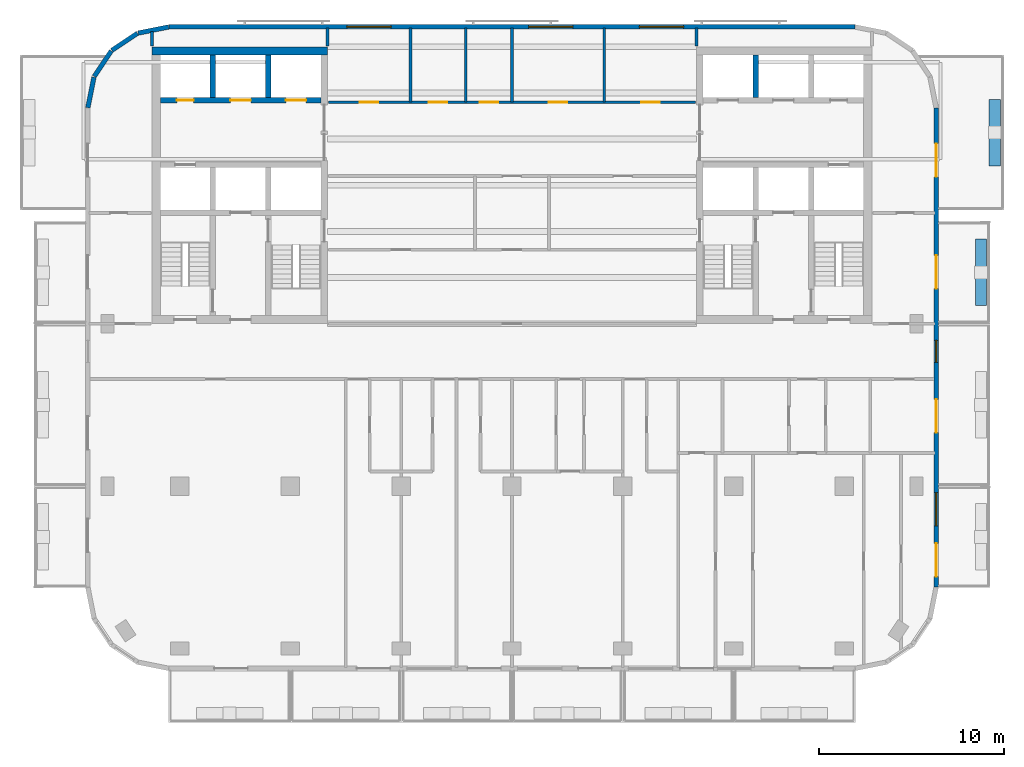
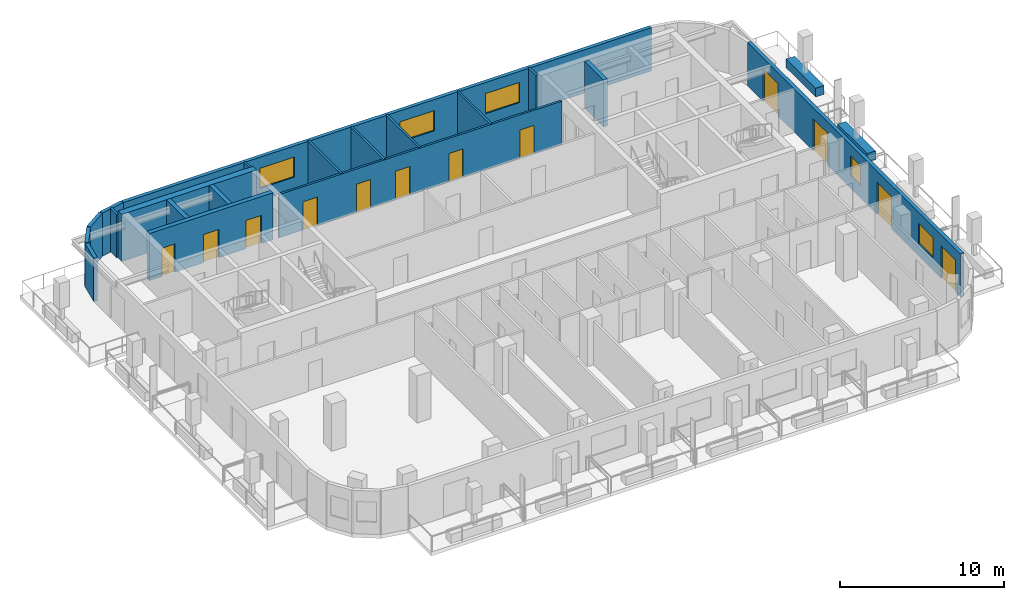
# One storey, part 6 of 11: 21 walls, 12 doors, 5 windows, 17 openings.
"""IFC4 building model written with IfcOpenShell, lengths in metres."""

from ifc_helpers import new_model, si_unit, direction, frame, frame_2d, origin, place, context, subcontext, project, spatial, rectangle, extrude, material, layer, layer_set, type_object, element, fill, save


model = new_model("IFC4")

# Units and contexts
model_context = context("Model", 3, precision=1e-05, world=origin(), true_north=direction((0.0, 1.0)))
body_context = subcontext(model_context, "Body", "Model", "MODEL_VIEW")
ifc_project = project(units=[si_unit("LENGTHUNIT", "METRE"), si_unit("AREAUNIT", "SQUARE_METRE"), si_unit("VOLUMEUNIT", "CUBIC_METRE"), si_unit("PLANEANGLEUNIT", "RADIAN"), si_unit("MASSUNIT", "GRAM", prefix="KILO")], contexts=[model_context])

# Site, building, storey
site_placement = place(None, origin())
site = spatial("IfcSite", under=ifc_project, at=site_placement, CompositionType="ELEMENT")
building_placement = place(site_placement, origin())
building = spatial("IfcBuilding", under=site, at=building_placement, Name="Torana Hotel and Residences", CompositionType="ELEMENT")
storey_placement = place(building_placement, frame((0.0, 0.0, 266.60009765625)))
storey = spatial("IfcBuildingStorey", under=building, at=storey_placement, Name="L70", CompositionType="ELEMENT", Elevation=266.60009765625)

# Wall, openings, doors
ifc_material_1 = material(Name="Concrete C60/75", Category="concrete")
ifc_layer_1 = layer(ifc_material_1, 0.300048828125)
ifc_layer_set_1 = layer_set([ifc_layer_1], Name="CORE WALL 300 C60/75")
wall_type_1 = type_object("IfcWallType", Name="CORE WALL 300 C60/75", PredefinedType="SHEAR", material=ifc_layer_set_1)
wall_1_placement = place(storey_placement, frame((-19.050048828125, -2.89990234375, 0.0), z_axis=(0.0, 0.0, 1.0), x_axis=(1.0, 0.0, 0.0)))
wall_1 = element("IfcWall", 1, at=wall_1_placement, inside=storey, type_object=wall_type_1, Name="Core wall W row-N", PredefinedType="SHEAR", context=body_context, shape_type="SweptSolid", body=[
    extrude(rectangle(XDim=8.699951171875, YDim=0.300048828125, at=frame_2d((4.35009765625, 0.0))), origin(), (0.0, 0.0, 1.0), 3.5),
])
opening_1_placement = place(wall_1_placement, frame((6.800048828125, 0.0, 0.0)))
opening_1 = element("IfcOpeningElement", 2, at=opening_1_placement, cuts=wall_1, Name="Opening LD", PredefinedType="OPENING", context=body_context, shape_type="SweptSolid", body=[
    extrude(rectangle(XDim=1.10009765625, YDim=2.10009765625, at=frame_2d((0.550048828125, 1.050048828125))), frame((0.0, 0.159912109375, 0.0), z_axis=(0.0, -1.0, 0.0), x_axis=(1.0, 0.0, 0.0)), (0.0, 0.0, 1.0), 0.320068359375),
])
opening_2_placement = place(wall_1_placement, frame((3.800048828125, 0.0, 0.0)))
opening_2 = element("IfcOpeningElement", 3, at=opening_2_placement, cuts=wall_1, Name="Opening LD", PredefinedType="OPENING", context=body_context, shape_type="SweptSolid", body=[
    extrude(rectangle(XDim=1.10009765625, YDim=2.10009765625, at=frame_2d((0.550048828125, 1.050048828125))), frame((0.0, 0.159912109375, 0.0), z_axis=(0.0, -1.0, 0.0), x_axis=(1.0, 0.0, 0.0)), (0.0, 0.0, 1.0), 0.320068359375),
])
opening_3_placement = place(wall_1_placement, frame((0.89990234375, 0.0, 0.0)))
opening_3 = element("IfcOpeningElement", 4, at=opening_3_placement, cuts=wall_1, Name="Opening L70-06", PredefinedType="OPENING", context=body_context, shape_type="SweptSolid", body=[
    extrude(rectangle(XDim=0.89990234375, YDim=2.10009765625, at=frame_2d((0.449951171875, 1.050048828125))), frame((0.0, 0.159912109375, 0.0), z_axis=(0.0, -1.0, 0.0), x_axis=(1.0, 0.0, 0.0)), (0.0, 0.0, 1.0), 0.320068359375),
])
ifc_material_2 = material(Name="Stainless steel 316", Category="steel")
door_type_1 = type_object("IfcDoorType", Name="LIFT LANDING DOOR LD 1100x2100", OperationType="DOUBLE_DOOR_SLIDING", PredefinedType="USERDEFINED", material=ifc_material_2)
door_1_placement = place(opening_1_placement, origin())
door_1 = element("IfcDoor", 5, at=door_1_placement, inside=storey, type_object=door_type_1, Name="Lift landing door H1 L70", ObjectType="LIFT LANDING DOOR", OperationType="DOUBLE_DOOR_SLIDING", OverallHeight=2.10009765625, OverallWidth=1.10009765625, PredefinedType="USERDEFINED", context=body_context, shape_type="SweptSolid", body=[
    extrude(rectangle(XDim=1.10009765625, YDim=2.10009765625, at=frame_2d((0.550048828125, 1.050048828125))), frame((0.0, 0.02490234375, 0.0), z_axis=(0.0, -1.0, 0.0), x_axis=(1.0, 0.0, 0.0)), (0.0, 0.0, 1.0), 0.050048828125),
])
fill(opening_1, door_1)
door_2_placement = place(opening_2_placement, origin())
door_2 = element("IfcDoor", 6, at=door_2_placement, inside=storey, type_object=door_type_1, Name="Lift landing door H2 L70", ObjectType="LIFT LANDING DOOR", OperationType="DOUBLE_DOOR_SLIDING", OverallHeight=2.10009765625, OverallWidth=1.10009765625, PredefinedType="USERDEFINED", context=body_context, shape_type="SweptSolid", body=[
    extrude(rectangle(XDim=1.10009765625, YDim=2.10009765625, at=frame_2d((0.550048828125, 1.050048828125))), frame((0.0, 0.02490234375, 0.0), z_axis=(0.0, -1.0, 0.0), x_axis=(1.0, 0.0, 0.0)), (0.0, 0.0, 1.0), 0.050048828125),
])
fill(opening_2, door_2)
ifc_material_3 = material(Name="Steel S235", Category="steel")
door_type_2 = type_object("IfcDoorType", Name="RISER ACCESS DOOR D5 900x2100", OperationType="SINGLE_SWING_LEFT", PredefinedType="DOOR", material=ifc_material_3)
door_3_placement = place(opening_3_placement, origin())
door_3 = element("IfcDoor", 7, at=door_3_placement, inside=storey, type_object=door_type_2, Name="N2 door L70", OperationType="SINGLE_SWING_RIGHT", OverallHeight=2.10009765625, OverallWidth=0.89990234375, PredefinedType="DOOR", context=body_context, shape_type="SweptSolid", body=[
    extrude(rectangle(XDim=0.89990234375, YDim=2.10009765625, at=frame_2d((0.449951171875, 1.050048828125))), frame((0.0, 0.02490234375, 0.0), z_axis=(0.0, -1.0, 0.0), x_axis=(1.0, 0.0, 0.0)), (0.0, 0.0, 1.0), 0.050048828125),
])
fill(opening_3, door_3)

# Walls
for number, where, z_axis, x_axis, name in (
    (8, (-13.199951171875, -2.75, 0.0), (0.0, 0.0, 1.0), (0.0, 1.0, 0.0), "Core wall W x3.05-N"),
    (9, (-16.199951171875, -2.75, 0.0), (0.0, 0.0, 1.0), (0.0, 1.0, 0.0), "Core wall W x6.05-N"),
    (10, (13.199951171875, -2.75, 0.0), (0.0, 0.0, 1.0), (0.0, 1.0, 0.0), "Core wall E x3.05-N"),
):
    element("IfcWall", number, at=place(storey_placement, frame(where, z_axis=z_axis, x_axis=x_axis)), inside=storey, type_object=wall_type_1, Name=name, PredefinedType="SHEAR", context=body_context, shape_type="SweptSolid", body=[
        extrude(rectangle(XDim=2.300048828125, YDim=0.300048828125, at=frame_2d((1.14990234375, 0.0))), origin(), (0.0, 0.0, 1.0), 3.5),
    ])
ifc_material_4 = material(Name="Concrete C60/75", Category="concrete")
ifc_layer_2 = layer(ifc_material_4, 0.449951171875)
ifc_layer_set_2 = layer_set([ifc_layer_2], Name="CORE WALL 450 C60/75")
wall_type_2 = type_object("IfcWallType", Name="CORE WALL 450 C60/75", PredefinedType="SHEAR", material=ifc_layer_set_2)
wall_2_placement = place(storey_placement, frame((-19.5, -0.22509765625, 0.0), z_axis=(0.0, 0.0, 1.0), x_axis=(1.0, 0.0, 0.0)))
element("IfcWall", 11, at=wall_2_placement, inside=storey, type_object=wall_type_2, Name="Core wall W rear", PredefinedType="SHEAR", context=body_context, shape_type="SweptSolid", body=[
    extrude(rectangle(XDim=9.5, YDim=0.449951171875, at=frame_2d((4.75, 0.0))), origin(), (0.0, 0.0, 1.0), 3.5),
])
ifc_material_5 = material(Name="Black aluminium composite panel", Category="aluminium")
ifc_layer_3 = layer(ifc_material_5, 0.00390625, Name="Cladding", Category="cladding")
ifc_material_6 = material(Name="Ventilated air cavity")
ifc_layer_4 = layer(ifc_material_6, 0.0400390625, Name="Ventilated cavity", Category="cavity")
ifc_material_7 = material(Name="Mineral wool insulation")
ifc_layer_5 = layer(ifc_material_7, 0.090087890625, Name="Insulation", Category="insulation")
ifc_material_8 = material(Name="Steel S280GD", Category="steel")
ifc_layer_6 = layer(ifc_material_8, 0.092041015625, Name="Steel stud frame", Category="structure")
ifc_material_9 = material(Name="Fire rated plasterboard")
ifc_layer_7 = layer(ifc_material_9, 0.011962890625, Name="Inner board", Category="finish")
ifc_layer_8 = layer(ifc_material_9, 0.011962890625, Name="Second board", Category="finish")
ifc_layer_set_3 = layer_set([ifc_layer_3, ifc_layer_4, ifc_layer_5, ifc_layer_6, ifc_layer_7, ifc_layer_8], Name="EW1 EXTERNAL WALL BLACK METAL CLAD 250")
wall_type_3 = type_object("IfcWallType", Name="EW1 EXTERNAL WALL BLACK METAL CLAD 250", PredefinedType="SOLIDWALL", material=ifc_layer_set_3)
wall_3_placement = place(storey_placement, frame((-18.599853515625, 1.072509765625, 0.0), z_axis=(0.0, 0.0, 1.0), x_axis=(-0.980797896849, -0.195026884138, 0.0)))
element("IfcWall", 12, at=wall_3_placement, inside=storey, type_object=wall_type_3, Name="External wall L70 e0.5", PredefinedType="SOLIDWALL", context=body_context, shape_type="SweptSolid", body=[
    extrude(rectangle(XDim=1.68115234375, YDim=0.25, at=frame_2d((0.840576171875, 0.0))), origin(), (0.0, 0.0, 1.0), 3.219970703125),
])
for number, where, z_axis, x_axis, name in (
    (13, (-20.2939453125, 0.725830078125, 0.0), (0.0, 0.0, 1.0), (-0.831482937015, -0.55555029066, 0.0), "External wall L70 e0.6"),
    (14, (-21.705810546875, -0.228759765625, 0.0), (0.0, 0.0, 1.0), (-0.55555029066, -0.831482937015, 0.0), "External wall L70 e0.7"),
):
    element("IfcWall", number, at=place(storey_placement, frame(where, z_axis=z_axis, x_axis=x_axis)), inside=storey, type_object=wall_type_3, Name=name, PredefinedType="SOLIDWALL", context=body_context, shape_type="SweptSolid", body=[
        extrude(rectangle(XDim=1.65625, YDim=0.25, at=frame_2d((0.828125, 0.0))), origin(), (0.0, 0.0, 1.0), 3.219970703125),
    ])
wall_4_placement = place(storey_placement, frame((-22.64453125, -1.651123046875, 0.0), z_axis=(0.0, 0.0, 1.0), x_axis=(-0.19513878023, -0.980775640221, 0.0)))
element("IfcWall", 15, at=wall_4_placement, inside=storey, type_object=wall_type_3, Name="External wall L70 e0.8", PredefinedType="SOLIDWALL", context=body_context, shape_type="SweptSolid", body=[
    extrude(rectangle(XDim=1.681396484375, YDim=0.25, at=frame_2d((0.8408203125, 0.0))), origin(), (0.0, 0.0, 1.0), 3.219970703125),
])

# Wall, openings, doors, windows
wall_5_placement = place(storey_placement, frame((22.97509765625, -29.275390625, 0.0), z_axis=(0.0, 0.0, 1.0), x_axis=(0.0, 1.0, 0.0)))
wall_5 = element("IfcWall", 16, at=wall_5_placement, inside=storey, type_object=wall_type_3, Name="External wall L70 e0.19", PredefinedType="SOLIDWALL", context=body_context, shape_type="SweptSolid", body=[
    extrude(rectangle(XDim=25.95068359375, YDim=0.25, at=frame_2d((12.975341796875, 0.0))), origin(), (0.0, 0.0, 1.0), 3.219970703125),
])
opening_4_placement = place(wall_5_placement, frame((0.575439453125, 0.0, 0.0)))
opening_4 = element("IfcOpeningElement", 17, at=opening_4_placement, cuts=wall_5, Name="Opening L70-E07", PredefinedType="OPENING", context=body_context, shape_type="SweptSolid", body=[
    extrude(rectangle(XDim=1.800048828125, YDim=2.39990234375, at=frame_2d((0.89990234375, 1.199951171875))), frame((0.0, 0.135009765625, 0.0), z_axis=(0.0, -1.0, 0.0), x_axis=(1.0, 0.0, 0.0)), (0.0, 0.0, 1.0), 0.27001953125),
])
opening_5_placement = place(wall_5_placement, frame((3.325439453125, 0.0, 0.89990234375)))
opening_5 = element("IfcOpeningElement", 18, at=opening_5_placement, cuts=wall_5, Name="Opening W4", PredefinedType="OPENING", context=body_context, shape_type="SweptSolid", body=[
    extrude(rectangle(XDim=1.800048828125, YDim=1.5, at=frame_2d((0.89990234375, 0.75))), frame((0.0, 0.135009765625, 0.0), z_axis=(0.0, -1.0, 0.0), x_axis=(1.0, 0.0, 0.0)), (0.0, 0.0, 1.0), 0.27001953125),
])
opening_6_placement = place(wall_5_placement, frame((8.37548828125, 0.0, 0.0)))
opening_6 = element("IfcOpeningElement", 19, at=opening_6_placement, cuts=wall_5, Name="Opening L70-E08", PredefinedType="OPENING", context=body_context, shape_type="SweptSolid", body=[
    extrude(rectangle(XDim=1.800048828125, YDim=2.39990234375, at=frame_2d((0.89990234375, 1.199951171875))), frame((0.0, 0.135009765625, 0.0), z_axis=(0.0, -1.0, 0.0), x_axis=(1.0, 0.0, 0.0)), (0.0, 0.0, 1.0), 0.27001953125),
])
opening_7_placement = place(wall_5_placement, frame((12.17529296875, 0.0, 0.89990234375)))
opening_7 = element("IfcOpeningElement", 20, at=opening_7_placement, cuts=wall_5, Name="Opening W5", PredefinedType="OPENING", context=body_context, shape_type="SweptSolid", body=[
    extrude(rectangle(XDim=1.199951171875, YDim=1.5, at=frame_2d((0.60009765625, 0.75))), frame((0.0, 0.135009765625, 0.0), z_axis=(0.0, -1.0, 0.0), x_axis=(1.0, 0.0, 0.0)), (0.0, 0.0, 1.0), 0.27001953125),
])
opening_8_placement = place(wall_5_placement, frame((16.17529296875, 0.0, 0.0)))
opening_8 = element("IfcOpeningElement", 21, at=opening_8_placement, cuts=wall_5, Name="Opening L70-E09", PredefinedType="OPENING", context=body_context, shape_type="SweptSolid", body=[
    extrude(rectangle(XDim=1.800048828125, YDim=2.39990234375, at=frame_2d((0.89990234375, 1.199951171875))), frame((0.0, 0.135009765625, 0.0), z_axis=(0.0, -1.0, 0.0), x_axis=(1.0, 0.0, 0.0)), (0.0, 0.0, 1.0), 0.27001953125),
])
opening_9_placement = place(wall_5_placement, frame((22.225341796875, 0.0, 0.0)))
opening_9 = element("IfcOpeningElement", 22, at=opening_9_placement, cuts=wall_5, Name="Opening L70-E10", PredefinedType="OPENING", context=body_context, shape_type="SweptSolid", body=[
    extrude(rectangle(XDim=1.800048828125, YDim=2.39990234375, at=frame_2d((0.89990234375, 1.199951171875))), frame((0.0, 0.135009765625, 0.0), z_axis=(0.0, -1.0, 0.0), x_axis=(1.0, 0.0, 0.0)), (0.0, 0.0, 1.0), 0.27001953125),
])
ifc_material_10 = material(Name="Dark glass in black aluminium frame", Category="aluminium")
door_type_3 = type_object("IfcDoorType", Name="DB1 BALCONY DOOR 1800x2400", OperationType="DOUBLE_DOOR_SINGLE_SWING", PredefinedType="DOOR", material=ifc_material_10)
door_4_placement = place(opening_4_placement, origin())
door_4 = element("IfcDoor", 23, at=door_4_placement, inside=storey, type_object=door_type_3, Name="Balcony door L70", OperationType="DOUBLE_DOOR_SINGLE_SWING", OverallHeight=2.39990234375, OverallWidth=1.800048828125, PredefinedType="DOOR", context=body_context, shape_type="SweptSolid", body=[
    extrude(rectangle(XDim=1.800048828125, YDim=2.39990234375, at=frame_2d((0.89990234375, 1.199951171875))), frame((0.0, 0.02490234375, 0.0), z_axis=(0.0, -1.0, 0.0), x_axis=(1.0, 0.0, 0.0)), (0.0, 0.0, 1.0), 0.050048828125),
])
fill(opening_4, door_4)
door_5_placement = place(opening_6_placement, origin())
door_5 = element("IfcDoor", 24, at=door_5_placement, inside=storey, type_object=door_type_3, Name="Balcony door L70", OperationType="DOUBLE_DOOR_SINGLE_SWING", OverallHeight=2.39990234375, OverallWidth=1.800048828125, PredefinedType="DOOR", context=body_context, shape_type="SweptSolid", body=[
    extrude(rectangle(XDim=1.800048828125, YDim=2.39990234375, at=frame_2d((0.89990234375, 1.199951171875))), frame((0.0, 0.02490234375, 0.0), z_axis=(0.0, -1.0, 0.0), x_axis=(1.0, 0.0, 0.0)), (0.0, 0.0, 1.0), 0.050048828125),
])
fill(opening_6, door_5)
door_6_placement = place(opening_8_placement, origin())
door_6 = element("IfcDoor", 25, at=door_6_placement, inside=storey, type_object=door_type_3, Name="Balcony door L70", OperationType="DOUBLE_DOOR_SINGLE_SWING", OverallHeight=2.39990234375, OverallWidth=1.800048828125, PredefinedType="DOOR", context=body_context, shape_type="SweptSolid", body=[
    extrude(rectangle(XDim=1.800048828125, YDim=2.39990234375, at=frame_2d((0.89990234375, 1.199951171875))), frame((0.0, 0.02490234375, 0.0), z_axis=(0.0, -1.0, 0.0), x_axis=(1.0, 0.0, 0.0)), (0.0, 0.0, 1.0), 0.050048828125),
])
fill(opening_8, door_6)
door_7_placement = place(opening_9_placement, origin())
door_7 = element("IfcDoor", 26, at=door_7_placement, inside=storey, type_object=door_type_3, Name="Balcony door L70", OperationType="DOUBLE_DOOR_SINGLE_SWING", OverallHeight=2.39990234375, OverallWidth=1.800048828125, PredefinedType="DOOR", context=body_context, shape_type="SweptSolid", body=[
    extrude(rectangle(XDim=1.800048828125, YDim=2.39990234375, at=frame_2d((0.89990234375, 1.199951171875))), frame((0.0, 0.02490234375, 0.0), z_axis=(0.0, -1.0, 0.0), x_axis=(1.0, 0.0, 0.0)), (0.0, 0.0, 1.0), 0.050048828125),
])
fill(opening_9, door_7)
ifc_material_11 = material(Name="Dark glass in black aluminium frame", Category="aluminium")
window_type_1 = type_object("IfcWindowType", Name="W4 RESIDENCE WINDOW NARROW 1800x1500", PartitioningType="SINGLE_PANEL", PredefinedType="WINDOW", material=ifc_material_11)
window_1_placement = place(opening_5_placement, origin())
window_1 = element("IfcWindow", 27, at=window_1_placement, inside=storey, type_object=window_type_1, Name="Window L70", OverallHeight=1.5, OverallWidth=1.800048828125, PartitioningType="SINGLE_PANEL", PredefinedType="WINDOW", context=body_context, shape_type="SweptSolid", body=[
    extrude(rectangle(XDim=1.800048828125, YDim=1.5, at=frame_2d((0.89990234375, 0.75))), frame((0.0, 0.030029296875, 0.0), z_axis=(0.0, -1.0, 0.0), x_axis=(1.0, 0.0, 0.0)), (0.0, 0.0, 1.0), 0.06005859375),
])
fill(opening_5, window_1)
ifc_material_12 = material(Name="Dark glass in black aluminium frame", Category="aluminium")
window_type_2 = type_object("IfcWindowType", Name="W5 CORNER FACET WINDOW 1200x1500", PartitioningType="SINGLE_PANEL", PredefinedType="WINDOW", material=ifc_material_12)
window_2_placement = place(opening_7_placement, origin())
window_2 = element("IfcWindow", 28, at=window_2_placement, inside=storey, type_object=window_type_2, Name="Window L70", OverallHeight=1.5, OverallWidth=1.199951171875, PartitioningType="SINGLE_PANEL", PredefinedType="WINDOW", context=body_context, shape_type="SweptSolid", body=[
    extrude(rectangle(XDim=1.199951171875, YDim=1.5, at=frame_2d((0.60009765625, 0.75))), frame((0.0, 0.030029296875, 0.0), z_axis=(0.0, -1.0, 0.0), x_axis=(1.0, 0.0, 0.0)), (0.0, 0.0, 1.0), 0.06005859375),
])
fill(opening_7, window_2)

# Wall, openings, windows
ifc_material_13 = material(Name="Concrete C40/50 precast", Category="concrete")
ifc_layer_9 = layer(ifc_material_13, 0.10009765625, Name="Perforated block", Category="cladding")
ifc_material_14 = material(Name="Air cavity")
ifc_layer_10 = layer(ifc_material_14, 0.030029296875, Name="Cavity", Category="cavity")
ifc_material_15 = material(Name="Concrete C40/50", Category="concrete")
ifc_layer_11 = layer(ifc_material_15, 0.10009765625, Name="Wall", Category="structure")
ifc_material_16 = material(Name="Plaster and paint")
ifc_layer_12 = layer(ifc_material_16, 0.02001953125, Name="Inner finish", Category="finish")
ifc_layer_set_4 = layer_set([ifc_layer_9, ifc_layer_10, ifc_layer_11, ifc_layer_12], Name="EW2 PERFORATED BLOCK SCREEN WALL 250")
wall_type_4 = type_object("IfcWallType", Name="EW2 PERFORATED BLOCK SCREEN WALL 250", PredefinedType="SOLIDWALL", material=ifc_layer_set_4)
wall_6_placement = place(storey_placement, frame((18.575439453125, 1.074951171875, 0.0), z_axis=(0.0, 0.0, 1.0), x_axis=(-1.0, 0.0, 0.0)))
wall_6 = element("IfcWall", 29, at=wall_6_placement, inside=storey, type_object=wall_type_4, Name="External wall L70 e0.4", PredefinedType="SOLIDWALL", context=body_context, shape_type="SweptSolid", body=[
    extrude(rectangle(XDim=37.15087890625, YDim=0.25, at=frame_2d((18.575439453125, 0.0))), origin(), (0.0, 0.0, 1.0), 3.219970703125),
])
opening_10_placement = place(wall_6_placement, frame((9.275390625, 0.0, 0.89990234375)))
opening_10 = element("IfcOpeningElement", 30, at=opening_10_placement, cuts=wall_6, Name="Opening W3", PredefinedType="OPENING", context=body_context, shape_type="SweptSolid", body=[
    extrude(rectangle(XDim=2.39990234375, YDim=1.5, at=frame_2d((1.199951171875, 0.75))), frame((0.0, 0.135009765625, 0.0), z_axis=(0.0, -1.0, 0.0), x_axis=(1.0, 0.0, 0.0)), (0.0, 0.0, 1.0), 0.27001953125),
])
opening_11_placement = place(wall_6_placement, frame((15.275390625, 0.0, 0.89990234375)))
opening_11 = element("IfcOpeningElement", 31, at=opening_11_placement, cuts=wall_6, Name="Opening W3", PredefinedType="OPENING", context=body_context, shape_type="SweptSolid", body=[
    extrude(rectangle(XDim=2.39990234375, YDim=1.5, at=frame_2d((1.199951171875, 0.75))), frame((0.0, 0.135009765625, 0.0), z_axis=(0.0, -1.0, 0.0), x_axis=(1.0, 0.0, 0.0)), (0.0, 0.0, 1.0), 0.27001953125),
])
opening_12_placement = place(wall_6_placement, frame((25.12548828125, 0.0, 0.89990234375)))
opening_12 = element("IfcOpeningElement", 32, at=opening_12_placement, cuts=wall_6, Name="Opening W3", PredefinedType="OPENING", context=body_context, shape_type="SweptSolid", body=[
    extrude(rectangle(XDim=2.39990234375, YDim=1.5, at=frame_2d((1.199951171875, 0.75))), frame((0.0, 0.135009765625, 0.0), z_axis=(0.0, -1.0, 0.0), x_axis=(1.0, 0.0, 0.0)), (0.0, 0.0, 1.0), 0.27001953125),
])
ifc_material_17 = material(Name="Dark glass in black aluminium frame", Category="aluminium")
window_type_3 = type_object("IfcWindowType", Name="W3 RESIDENCE WINDOW 2400x1500", PartitioningType="SINGLE_PANEL", PredefinedType="WINDOW", material=ifc_material_17)
window_3_placement = place(opening_10_placement, origin())
window_3 = element("IfcWindow", 33, at=window_3_placement, inside=storey, type_object=window_type_3, Name="Window L70", OverallHeight=1.5, OverallWidth=2.39990234375, PartitioningType="SINGLE_PANEL", PredefinedType="WINDOW", context=body_context, shape_type="SweptSolid", body=[
    extrude(rectangle(XDim=2.39990234375, YDim=1.5, at=frame_2d((1.199951171875, 0.75))), frame((0.0, 0.030029296875, 0.0), z_axis=(0.0, -1.0, 0.0), x_axis=(1.0, 0.0, 0.0)), (0.0, 0.0, 1.0), 0.06005859375),
])
fill(opening_10, window_3)
window_4_placement = place(opening_11_placement, origin())
window_4 = element("IfcWindow", 34, at=window_4_placement, inside=storey, type_object=window_type_3, Name="Window L70", OverallHeight=1.5, OverallWidth=2.39990234375, PartitioningType="SINGLE_PANEL", PredefinedType="WINDOW", context=body_context, shape_type="SweptSolid", body=[
    extrude(rectangle(XDim=2.39990234375, YDim=1.5, at=frame_2d((1.199951171875, 0.75))), frame((0.0, 0.030029296875, 0.0), z_axis=(0.0, -1.0, 0.0), x_axis=(1.0, 0.0, 0.0)), (0.0, 0.0, 1.0), 0.06005859375),
])
fill(opening_11, window_4)
window_5_placement = place(opening_12_placement, origin())
window_5 = element("IfcWindow", 35, at=window_5_placement, inside=storey, type_object=window_type_3, Name="Window L70", OverallHeight=1.5, OverallWidth=2.39990234375, PartitioningType="SINGLE_PANEL", PredefinedType="WINDOW", context=body_context, shape_type="SweptSolid", body=[
    extrude(rectangle(XDim=2.39990234375, YDim=1.5, at=frame_2d((1.199951171875, 0.75))), frame((0.0, 0.030029296875, 0.0), z_axis=(0.0, -1.0, 0.0), x_axis=(1.0, 0.0, 0.0)), (0.0, 0.0, 1.0), 0.06005859375),
])
fill(opening_12, window_5)

# Wall, openings, doors
ifc_material_18 = material(Name="Gypsum plaster")
ifc_layer_13 = layer(ifc_material_18, 0.014892578125, Name="Plaster", Category="finish")
ifc_material_19 = material(Name="Concrete blockwork", Category="masonry")
ifc_layer_14 = layer(ifc_material_19, 0.1201171875, Name="Blockwork", Category="structure")
ifc_layer_15 = layer(ifc_material_18, 0.014892578125, Name="Plaster", Category="finish")
ifc_layer_set_5 = layer_set([ifc_layer_13, ifc_layer_14, ifc_layer_15], Name="FIRE PARTITION 150 BLOCKWORK")
wall_type_5 = type_object("IfcWallType", Name="FIRE PARTITION 150 BLOCKWORK", PredefinedType="PARTITIONING", material=ifc_layer_set_5)
wall_7_placement = place(storey_placement, frame((-9.949951171875, -3.0, 0.0), z_axis=(0.0, 0.0, 1.0), x_axis=(1.0, 0.0, 0.0)))
wall_7 = element("IfcWall", 36, at=wall_7_placement, inside=storey, type_object=wall_type_5, Name="Partition L70", PredefinedType="PARTITIONING", context=body_context, shape_type="SweptSolid", body=[
    extrude(rectangle(XDim=19.89990234375, YDim=0.14990234375, at=frame_2d((9.949951171875, 0.0))), origin(), (0.0, 0.0, 1.0), 3.219970703125),
])
opening_13_placement = place(wall_7_placement, frame((1.699951171875, 0.0, 0.0)))
opening_13 = element("IfcOpeningElement", 37, at=opening_13_placement, cuts=wall_7, Name="Opening L70-32", PredefinedType="OPENING", context=body_context, shape_type="SweptSolid", body=[
    extrude(rectangle(XDim=1.0, YDim=2.10009765625, at=frame_2d((0.5, 1.050048828125))), frame((0.0, 0.0849609375, 0.0), z_axis=(0.0, -1.0, 0.0), x_axis=(1.0, 0.0, 0.0)), (0.0, 0.0, 1.0), 0.169921875),
])
opening_14_placement = place(wall_7_placement, frame((5.449951171875, 0.0, 0.0)))
opening_14 = element("IfcOpeningElement", 38, at=opening_14_placement, cuts=wall_7, Name="Opening L70-33", PredefinedType="OPENING", context=body_context, shape_type="SweptSolid", body=[
    extrude(rectangle(XDim=1.0, YDim=2.10009765625, at=frame_2d((0.5, 1.050048828125))), frame((0.0, 0.0849609375, 0.0), z_axis=(0.0, -1.0, 0.0), x_axis=(1.0, 0.0, 0.0)), (0.0, 0.0, 1.0), 0.169921875),
])
opening_15_placement = place(wall_7_placement, frame((8.199951171875, 0.0, 0.0)))
opening_15 = element("IfcOpeningElement", 39, at=opening_15_placement, cuts=wall_7, Name="Opening L70-34", PredefinedType="OPENING", context=body_context, shape_type="SweptSolid", body=[
    extrude(rectangle(XDim=1.0, YDim=2.10009765625, at=frame_2d((0.5, 1.050048828125))), frame((0.0, 0.0849609375, 0.0), z_axis=(0.0, -1.0, 0.0), x_axis=(1.0, 0.0, 0.0)), (0.0, 0.0, 1.0), 0.169921875),
])
opening_16_placement = place(wall_7_placement, frame((11.949951171875, 0.0, 0.0)))
opening_16 = element("IfcOpeningElement", 40, at=opening_16_placement, cuts=wall_7, Name="Opening L70-35", PredefinedType="OPENING", context=body_context, shape_type="SweptSolid", body=[
    extrude(rectangle(XDim=1.0, YDim=2.10009765625, at=frame_2d((0.5, 1.050048828125))), frame((0.0, 0.0849609375, 0.0), z_axis=(0.0, -1.0, 0.0), x_axis=(1.0, 0.0, 0.0)), (0.0, 0.0, 1.0), 0.169921875),
])
opening_17_placement = place(wall_7_placement, frame((16.949951171875, 0.0, 0.0)))
opening_17 = element("IfcOpeningElement", 41, at=opening_17_placement, cuts=wall_7, Name="Opening L70-36", PredefinedType="OPENING", context=body_context, shape_type="SweptSolid", body=[
    extrude(rectangle(XDim=1.0, YDim=2.10009765625, at=frame_2d((0.5, 1.050048828125))), frame((0.0, 0.0849609375, 0.0), z_axis=(0.0, -1.0, 0.0), x_axis=(1.0, 0.0, 0.0)), (0.0, 0.0, 1.0), 0.169921875),
])
ifc_material_20 = material(Name="Steel S235", Category="steel")
door_type_4 = type_object("IfcDoorType", Name="ENTRY FIRE DOOR D6 1000x2100", OperationType="SINGLE_SWING_LEFT", PredefinedType="DOOR", material=ifc_material_20)
door_8_placement = place(opening_13_placement, origin())
door_8 = element("IfcDoor", 42, at=door_8_placement, inside=storey, type_object=door_type_4, Name="Door L70", OperationType="SINGLE_SWING_RIGHT", OverallHeight=2.10009765625, OverallWidth=1.0, PredefinedType="DOOR", context=body_context, shape_type="SweptSolid", body=[
    extrude(rectangle(XDim=1.0, YDim=2.10009765625, at=frame_2d((0.5, 1.050048828125))), frame((0.0, 0.02490234375, 0.0), z_axis=(0.0, -1.0, 0.0), x_axis=(1.0, 0.0, 0.0)), (0.0, 0.0, 1.0), 0.050048828125),
])
fill(opening_13, door_8)
door_9_placement = place(opening_14_placement, origin())
door_9 = element("IfcDoor", 43, at=door_9_placement, inside=storey, type_object=door_type_4, Name="Door L70", OperationType="SINGLE_SWING_RIGHT", OverallHeight=2.10009765625, OverallWidth=1.0, PredefinedType="DOOR", context=body_context, shape_type="SweptSolid", body=[
    extrude(rectangle(XDim=1.0, YDim=2.10009765625, at=frame_2d((0.5, 1.050048828125))), frame((0.0, 0.02490234375, 0.0), z_axis=(0.0, -1.0, 0.0), x_axis=(1.0, 0.0, 0.0)), (0.0, 0.0, 1.0), 0.050048828125),
])
fill(opening_14, door_9)
door_10_placement = place(opening_15_placement, origin())
door_10 = element("IfcDoor", 44, at=door_10_placement, inside=storey, type_object=door_type_4, Name="Door L70", OperationType="SINGLE_SWING_RIGHT", OverallHeight=2.10009765625, OverallWidth=1.0, PredefinedType="DOOR", context=body_context, shape_type="SweptSolid", body=[
    extrude(rectangle(XDim=1.0, YDim=2.10009765625, at=frame_2d((0.5, 1.050048828125))), frame((0.0, 0.02490234375, 0.0), z_axis=(0.0, -1.0, 0.0), x_axis=(1.0, 0.0, 0.0)), (0.0, 0.0, 1.0), 0.050048828125),
])
fill(opening_15, door_10)
door_11_placement = place(opening_16_placement, origin())
door_11 = element("IfcDoor", 45, at=door_11_placement, inside=storey, type_object=door_type_4, Name="Door L70", OperationType="SINGLE_SWING_RIGHT", OverallHeight=2.10009765625, OverallWidth=1.0, PredefinedType="DOOR", context=body_context, shape_type="SweptSolid", body=[
    extrude(rectangle(XDim=1.0, YDim=2.10009765625, at=frame_2d((0.5, 1.050048828125))), frame((0.0, 0.02490234375, 0.0), z_axis=(0.0, -1.0, 0.0), x_axis=(1.0, 0.0, 0.0)), (0.0, 0.0, 1.0), 0.050048828125),
])
fill(opening_16, door_11)
door_12_placement = place(opening_17_placement, origin())
door_12 = element("IfcDoor", 46, at=door_12_placement, inside=storey, type_object=door_type_4, Name="Door L70", OperationType="SINGLE_SWING_RIGHT", OverallHeight=2.10009765625, OverallWidth=1.0, PredefinedType="DOOR", context=body_context, shape_type="SweptSolid", body=[
    extrude(rectangle(XDim=1.0, YDim=2.10009765625, at=frame_2d((0.5, 1.050048828125))), frame((0.0, 0.02490234375, 0.0), z_axis=(0.0, -1.0, 0.0), x_axis=(1.0, 0.0, 0.0)), (0.0, 0.0, 1.0), 0.050048828125),
])
fill(opening_17, door_12)

# Walls
ifc_material_21 = material(Name="Gypsum plasterboard")
ifc_layer_16 = layer(ifc_material_21, 0.012451171875, Name="Plasterboard", Category="finish")
ifc_layer_17 = layer(ifc_material_21, 0.012451171875, Name="Plasterboard", Category="finish")
ifc_layer_18 = layer(ifc_material_8, 0.10009765625, Name="Steel studs with mineral wool", Category="insulation")
ifc_layer_19 = layer(ifc_material_21, 0.012451171875, Name="Plasterboard", Category="finish")
ifc_layer_20 = layer(ifc_material_21, 0.012451171875, Name="Plasterboard", Category="finish")
ifc_layer_set_6 = layer_set([ifc_layer_16, ifc_layer_17, ifc_layer_18, ifc_layer_19, ifc_layer_20], Name="PARTITION 150 PLASTERBOARD")
wall_type_6 = type_object("IfcWallType", Name="PARTITION 150 PLASTERBOARD", PredefinedType="PARTITIONING", material=ifc_layer_set_6)
wall_8_placement = place(storey_placement, frame((10.0, 0.050048828125, 0.0), z_axis=(0.0, 0.0, 1.0), x_axis=(0.0, 1.0, 0.0)))
element("IfcWall", 47, at=wall_8_placement, inside=storey, type_object=wall_type_6, Name="Partition L70", PredefinedType="PARTITIONING", context=body_context, shape_type="SweptSolid", body=[
    extrude(rectangle(XDim=0.969970703125, YDim=0.14990234375, at=frame_2d((0.48486328125, 0.0))), origin(), (0.0, 0.0, 1.0), 3.219970703125),
])
wall_9_placement = place(storey_placement, frame((5.0, -3.0, 0.0), z_axis=(0.0, 0.0, 1.0), x_axis=(0.0, 1.0, 0.0)))
element("IfcWall", 48, at=wall_9_placement, inside=storey, type_object=wall_type_6, Name="Partition L70", PredefinedType="PARTITIONING", context=body_context, shape_type="SweptSolid", body=[
    extrude(rectangle(XDim=4.02001953125, YDim=0.14990234375, at=frame_2d((2.010009765625, 0.0))), origin(), (0.0, 0.0, 1.0), 3.219970703125),
])
wall_10_placement = place(storey_placement, frame((-10.0, 0.050048828125, 0.0), z_axis=(0.0, 0.0, 1.0), x_axis=(0.0, 1.0, 0.0)))
element("IfcWall", 49, at=wall_10_placement, inside=storey, type_object=wall_type_6, Name="Partition L70", PredefinedType="PARTITIONING", context=body_context, shape_type="SweptSolid", body=[
    extrude(rectangle(XDim=0.969970703125, YDim=0.14990234375, at=frame_2d((0.48486328125, 0.0))), origin(), (0.0, 0.0, 1.0), 3.219970703125),
])
wall_11_placement = place(storey_placement, frame((-19.5, 0.050048828125, 0.0), z_axis=(0.0, 0.0, 1.0), x_axis=(0.0, 1.0, 0.0)))
element("IfcWall", 50, at=wall_11_placement, inside=storey, type_object=wall_type_6, Name="Partition L70", PredefinedType="PARTITIONING", context=body_context, shape_type="SweptSolid", body=[
    extrude(rectangle(XDim=0.787353515625, YDim=0.14990234375, at=frame_2d((0.3935546875, 0.0))), origin(), (0.0, 0.0, 1.0), 3.219970703125),
])
ifc_layer_21 = layer(ifc_material_13, 0.10009765625, Name="Planter shell", Category="structure")
ifc_material_22 = material(Name="Root resistant membrane")
ifc_layer_22 = layer(ifc_material_22, 0.00390625, Name="Waterproofing membrane", Category="membrane")
ifc_material_23 = material(Name="Drainage board with filter fleece")
ifc_layer_23 = layer(ifc_material_23, 0.02001953125, Name="Drainage board", Category="drainage")
ifc_material_24 = material(Name="Growing medium")
ifc_layer_24 = layer(ifc_material_24, 0.47607421875, Name="Planting substrate", Category="soil")
ifc_layer_set_7 = layer_set([ifc_layer_21, ifc_layer_22, ifc_layer_23, ifc_layer_24], Name="PL1 BALCONY PLANTER 600")
wall_type_7 = type_object("IfcWallType", Name="PL1 BALCONY PLANTER 600", PredefinedType="USERDEFINED", material=ifc_layer_set_7)
for number, where, z_axis, x_axis, name in (
    (51, (25.39990234375, -10.425048828125, 0.0), (0.0, 0.0, 1.0), (0.0, -1.0, 0.0), "Planter 13"),
    (52, (26.14990234375, -2.85009765625, 0.0), (0.0, 0.0, 1.0), (0.0, -1.0, 0.0), "Planter 14"),
):
    element("IfcWall", number, at=place(storey_placement, frame(where, z_axis=z_axis, x_axis=x_axis)), inside=storey, type_object=wall_type_7, Name=name, ObjectType="PLANTER", PredefinedType="USERDEFINED", context=body_context, shape_type="SweptSolid", body=[
        extrude(rectangle(XDim=3.599853515625, YDim=0.60009765625, at=frame_2d((1.7998046875, 0.0))), origin(), (0.0, 0.0, 1.0), 0.64990234375),
    ])
ifc_material_25 = material(Name="Ceramic tile on adhesive")
ifc_layer_25 = layer(ifc_material_25, 0.010009765625, Name="Wall tile", Category="finish")
ifc_material_26 = material(Name="Cement render")
ifc_layer_26 = layer(ifc_material_26, 0.010009765625, Name="Render", Category="finish")
ifc_layer_27 = layer(ifc_material_19, 0.110107421875, Name="Blockwork", Category="structure")
ifc_layer_28 = layer(ifc_material_26, 0.010009765625, Name="Render", Category="finish")
ifc_layer_29 = layer(ifc_material_25, 0.010009765625, Name="Wall tile", Category="finish")
ifc_layer_set_8 = layer_set([ifc_layer_25, ifc_layer_26, ifc_layer_27, ifc_layer_28, ifc_layer_29], Name="WC PARTITION 150")
wall_type_8 = type_object("IfcWallType", Name="WC PARTITION 150", PredefinedType="PLUMBINGWALL", material=ifc_layer_set_8)
for number, where, z_axis, x_axis, name in (
    (53, (0.0, -3.0, 0.0), (0.0, 0.0, 1.0), (0.0, 1.0, 0.0), "Partition L70"),
    (54, (-2.5, -3.0, 0.0), (0.0, 0.0, 1.0), (0.0, 1.0, 0.0), "Partition L70"),
    (55, (-5.5, -3.0, 0.0), (0.0, 0.0, 1.0), (0.0, 1.0, 0.0), "Partition L70"),
):
    element("IfcWall", number, at=place(storey_placement, frame(where, z_axis=z_axis, x_axis=x_axis)), inside=storey, type_object=wall_type_8, Name=name, PredefinedType="PLUMBINGWALL", context=body_context, shape_type="SweptSolid", body=[
        extrude(rectangle(XDim=4.02001953125, YDim=0.14990234375, at=frame_2d((2.010009765625, 0.0))), origin(), (0.0, 0.0, 1.0), 3.219970703125),
    ])

save(model, "model.ifc")
